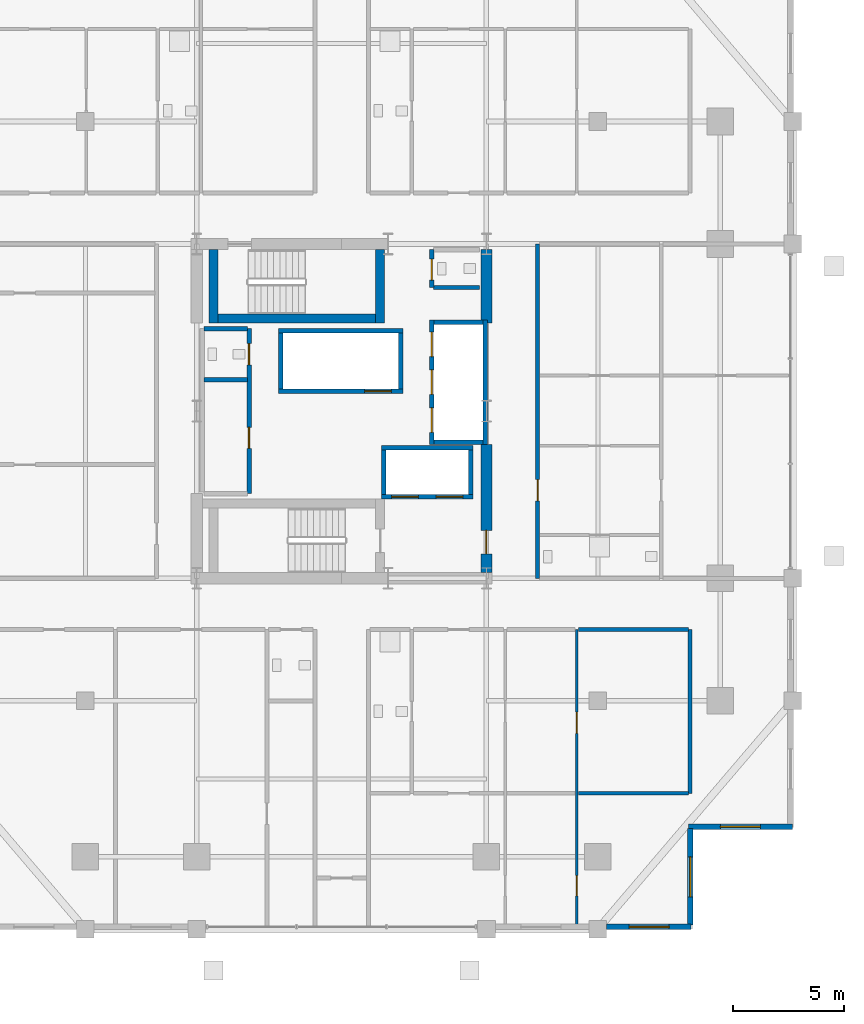
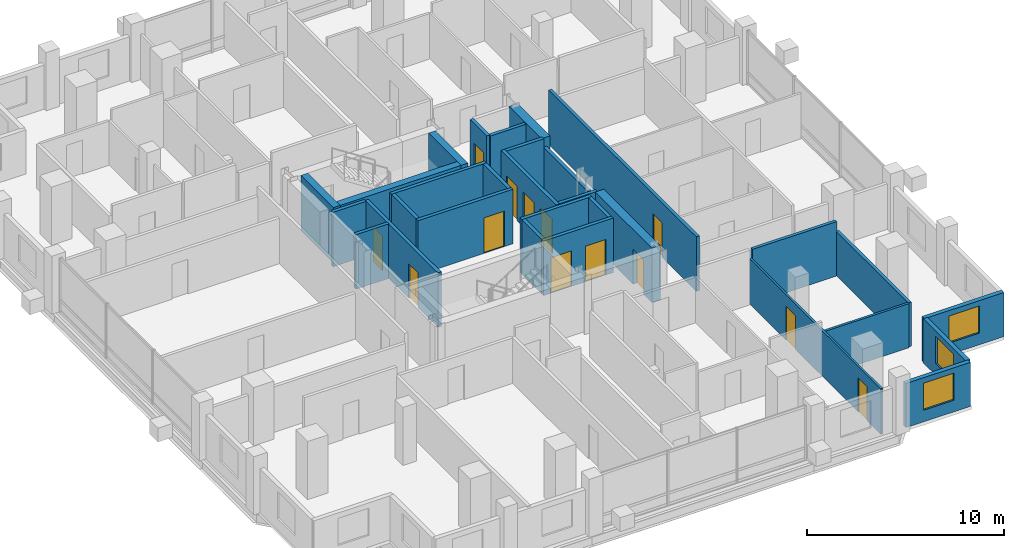
# One storey, part 15 of 20: 30 walls, 13 doors, 3 windows, 16 openings.
"""IFC4 building model written with IfcOpenShell, lengths in metres."""

import ifcopenshell
import ifcopenshell.guid

model = None  # the IFC model being written
_history = None  # IfcOwnerHistory: only IFC2X3 demands one
_inside = {}  # id of a spatial element -> (the spatial element, [elements in it])
_under = {}  # id of a project, library or spatial element -> (it, [spatial elements below it])
_declared = {}  # id of a project -> (the project, [libraries it declares])
_typed = {}  # id of a type object -> (the type object, [elements of that type])
_made_of = {}  # id of a material, layer set ... -> (it, [elements and type objects made of it])


def new_model(schema):
    """Start an empty IFC model of exactly this schema.

    Asked for "IFC4X3", IfcOpenShell would pick the latest addendum, in which some entities
    have other attributes; the version numbers below select the first issue.
    IFC2X3 requires an IfcOwnerHistory on every rooted entity: one is made here for all.
    """
    global model, _history
    if schema == "IFC4X3":
        model = ifcopenshell.file(schema_version=(4, 3, 0, 0))
    else:
        model = ifcopenshell.file(schema=schema)
    _inside.clear()
    _under.clear()
    _declared.clear()
    _typed.clear()
    _made_of.clear()
    _history = None
    if model.schema == "IFC2X3":
        org = make("IfcOrganization", Name="unknown")
        user = make(
            "IfcPersonAndOrganization",
            ThePerson=make("IfcPerson", FamilyName="unknown"),
            TheOrganization=org,
        )
        app = make(
            "IfcApplication",
            ApplicationDeveloper=org,
            Version="unknown",
            ApplicationFullName="unknown",
            ApplicationIdentifier="unknown",
        )
        _history = make(
            "IfcOwnerHistory",
            OwningUser=user,
            OwningApplication=app,
            ChangeAction="ADDED",
            CreationDate=0,
        )
    return model


def make(cls, **values):
    """One entity of the class cls with the attributes given. An attribute that is None is left unset."""
    return model.create_entity(
        cls, **{name: value for name, value in values.items() if value is not None}
    )


def rooted(cls, **values):
    """An entity with a GlobalId (a new one), such as an element, a storey or a relation."""
    return make(cls, GlobalId=ifcopenshell.guid.new(), OwnerHistory=_history, **values)


def si_unit(unit_type, name, prefix=None):
    """IfcSIUnit, for example si_unit("LENGTHUNIT", "METRE", prefix="MILLI")."""
    return make("IfcSIUnit", UnitType=unit_type, Prefix=prefix, Name=name)


def assignment(units):
    """IfcUnitAssignment: the units of a project."""
    return None if units is None else make("IfcUnitAssignment", Units=units)


def point(xyz):
    """IfcCartesianPoint."""
    return None if xyz is None else make("IfcCartesianPoint", Coordinates=xyz)


def direction(xyz):
    """IfcDirection."""
    return None if xyz is None else make("IfcDirection", DirectionRatios=xyz)


def frame(location, z_axis=None, x_axis=None):
    """IfcAxis2Placement3D, a coordinate frame: its origin and axes. An axis left out is left unset."""
    return make(
        "IfcAxis2Placement3D",
        Location=point(location),
        Axis=direction(z_axis),
        RefDirection=direction(x_axis),
    )


def frame_2d(location, x_axis=None):
    """IfcAxis2Placement2D, a coordinate frame in the plane: its origin and x axis."""
    return make(
        "IfcAxis2Placement2D", Location=point(location), RefDirection=direction(x_axis)
    )


def origin():
    """The frame at (0, 0, 0) with its axes left unset."""
    return frame((0.0, 0.0, 0.0))


def place(relative_to, where):
    """IfcLocalPlacement: puts the frame where relative to a parent placement (None: the world)."""
    return make(
        "IfcLocalPlacement", PlacementRelTo=relative_to, RelativePlacement=where
    )


def context(
    kind, dimensions, precision=None, world=None, true_north=None, identifier=None
):
    """IfcGeometricRepresentationContext, for example the 3D "Model" context."""
    return make(
        "IfcGeometricRepresentationContext",
        ContextIdentifier=identifier,
        ContextType=kind,
        CoordinateSpaceDimension=dimensions,
        Precision=precision,
        WorldCoordinateSystem=world,
        TrueNorth=true_north,
    )


def subcontext(parent, identifier, kind, view, scale=None):
    """IfcGeometricRepresentationSubContext, for example "Body" below "Model"."""
    return make(
        "IfcGeometricRepresentationSubContext",
        ContextIdentifier=identifier,
        ContextType=kind,
        ParentContext=parent,
        TargetScale=scale,
        TargetView=view,
    )


def project(units=None, contexts=None):
    """IfcProject with its units and contexts."""
    return rooted(
        "IfcProject",
        Name="project",
        RepresentationContexts=contexts,
        UnitsInContext=assignment(units),
    )


def spatial(cls, under=None, at=None, **own):
    """A site, building, storey or space (cls), placed at a placement, below another one or the project."""
    s = rooted(cls, ObjectPlacement=at, **own)
    if under is not None:
        _under.setdefault(under.id(), (under, []))[1].append(s)
    return s


def profile(cls, at=None, kind="AREA", **sizes):
    """A parametric profile (cls). Its sizes go by their IFC names, for example OverallWidth=200.0."""
    return make(cls, ProfileType=kind, Position=at, **sizes)


def rectangle(**sizes):
    """IfcRectangleProfileDef."""
    return profile("IfcRectangleProfileDef", **sizes)


def extrude(swept, where, along, depth):
    """IfcExtrudedAreaSolid: the profile swept, set in the frame where, extruded along a direction by depth."""
    return make(
        "IfcExtrudedAreaSolid",
        SweptArea=swept,
        Position=where,
        ExtrudedDirection=direction(along),
        Depth=depth,
    )


def shape(context_of_items, identifier, shape_type, items):
    """IfcShapeRepresentation: the items that make up one representation, for example the "Body"."""
    return make(
        "IfcShapeRepresentation",
        ContextOfItems=context_of_items,
        RepresentationIdentifier=identifier,
        RepresentationType=shape_type,
        Items=items,
    )


def material(Name=None, Category=None):
    """IfcMaterial."""
    return make("IfcMaterial", Name=Name, Category=Category)


def layer(
    of_material, thickness, ventilated=None, Name=None, Category=None, Priority=None
):
    """IfcMaterialLayer: one layer of a wall or slab, of a material (None: an air gap)."""
    return make(
        "IfcMaterialLayer",
        Material=of_material,
        LayerThickness=thickness,
        IsVentilated=ventilated,
        Name=Name,
        Category=Category,
        Priority=Priority,
    )


def layer_set(layers, Name=None):
    """IfcMaterialLayerSet."""
    return make("IfcMaterialLayerSet", MaterialLayers=layers, LayerSetName=Name)


def made_of(thing, what):
    """Note that an element or type object is made of a material, layer set ...; save() writes the relation."""
    if what is not None:
        _made_of.setdefault(what.id(), (what, []))[1].append(thing)
    return thing


def type_object(cls, material=None, **own):
    """A type object (cls), such as IfcWallType, which elements share."""
    return made_of(rooted(cls, **own), material)


def element(
    cls,
    number,
    at=None,
    inside=None,
    cuts=None,
    type_object=None,
    material=None,
    context=None,
    identifier="Body",
    shape_type=None,
    held_by="IfcProductDefinitionShape",
    body=None,
    shapes=None,
    **own,
):
    """One element of the class cls, such as IfcWall. Its Tag is "e" and its number.

    at: its placement. inside: the storey or other place that contains it. cuts: it is an
    opening in that element (IfcRelVoidsElement). A single representation is given by context,
    identifier, shape_type and body (its items); several are given by shapes. held_by: the class
    of the entity that holds the representations. save() writes the other relations.
    """
    e = rooted(cls, Tag="e%d" % number, ObjectPlacement=at, **own)
    if body is not None:
        shapes = [shape(context, identifier, shape_type, body)]
    if shapes is not None:
        e.Representation = make(held_by, Representations=shapes)
    if inside is not None:
        _inside.setdefault(inside.id(), (inside, []))[1].append(e)
    if cuts is not None:
        rooted(
            "IfcRelVoidsElement", RelatingBuildingElement=cuts, RelatedOpeningElement=e
        )
    if type_object is not None:
        _typed.setdefault(type_object.id(), (type_object, []))[1].append(e)
    return made_of(e, material)


def fill(opening, filler):
    """IfcRelFillsElement: the door or window that sits in an opening."""
    return rooted(
        "IfcRelFillsElement",
        RelatingOpeningElement=opening,
        RelatedBuildingElement=filler,
    )


def aggregate(whole, parts):
    """IfcRelAggregates: a whole, such as a stair, and the parts it consists of."""
    return rooted("IfcRelAggregates", RelatingObject=whole, RelatedObjects=parts)


def save(model, path):
    """Write the relations noted so far, then the file.

    IfcRelAggregates (storeys below a building ...), IfcRelContainedInSpatialStructure (elements
    in a storey), IfcRelDefinesByType, IfcRelAssociatesMaterial and IfcRelDeclares: one each for
    every whole, place, type object, material and project.
    """
    for whole, parts in _under.values():
        aggregate(whole, parts)
    for where, things in _inside.values():
        rooted(
            "IfcRelContainedInSpatialStructure",
            RelatedElements=things,
            RelatingStructure=where,
        )
    for kind, things in _typed.values():
        rooted("IfcRelDefinesByType", RelatedObjects=things, RelatingType=kind)
    for what, things in _made_of.values():
        rooted("IfcRelAssociatesMaterial", RelatedObjects=things, RelatingMaterial=what)
    for by, libraries in _declared.values():
        rooted("IfcRelDeclares", RelatingContext=by, RelatedDefinitions=libraries)
    model.write(path)


model = new_model("IFC4")

# Units and contexts
model_context = context("Model", 3, precision=1e-05, world=origin(), true_north=direction((0.0, 1.0)))
body_context = subcontext(model_context, "Body", "Model", "MODEL_VIEW")
ifc_project = project(units=[si_unit("LENGTHUNIT", "METRE"), si_unit("AREAUNIT", "SQUARE_METRE"), si_unit("VOLUMEUNIT", "CUBIC_METRE"), si_unit("PLANEANGLEUNIT", "RADIAN"), si_unit("MASSUNIT", "GRAM", prefix="KILO")], contexts=[model_context])

# Site, building, storey
site_placement = place(None, origin())
site = spatial("IfcSite", under=ifc_project, at=site_placement, CompositionType="ELEMENT")
building_placement = place(site_placement, origin())
building = spatial("IfcBuilding", under=site, at=building_placement, Name="Barlavira Tower and Art Museum", CompositionType="ELEMENT")
storey_placement = place(building_placement, frame((0.0, 0.0, 147.60009765625)))
storey = spatial("IfcBuildingStorey", under=building, at=storey_placement, Name="L37", CompositionType="ELEMENT", Elevation=147.60009765625)

# Wall, openings, doors
ifc_material_1 = material(Name="Gypsum acoustic stud partition", Category="gypsum")
ifc_layer_1 = layer(ifc_material_1, 0.1201171875, Name="Gypsum acoustic stud partition")
ifc_layer_set_1 = layer_set([ifc_layer_1], Name="Gypsum acoustic stud partition")
wall_type_1 = type_object("IfcWallType", Name="Apartment Internal Acoustic Partition 120", PredefinedType="PARTITIONING", material=ifc_layer_set_1)
wall_1_placement = place(storey_placement, frame((10.550048828125, -23.14990234375, 0.0), z_axis=(0.0, 0.0, 1.0), x_axis=(0.0, 1.0, 0.0)))
wall_1 = element("IfcWall", 1, at=wall_1_placement, inside=storey, type_object=wall_type_1, Name="L37 Partition Wall 20", PredefinedType="PARTITIONING", context=body_context, shape_type="SweptSolid", body=[
    extrude(rectangle(XDim=13.349853515625, YDim=0.1201171875, at=frame_2d((6.6748046875, 0.0))), origin(), (0.0, 0.0, 1.0), 2.81591796875),
])
opening_1_placement = place(wall_1_placement, frame((8.686767578125, 0.0, 0.0)))
opening_1 = element("IfcOpeningElement", 2, at=opening_1_placement, cuts=wall_1, Name="Opening D-02", PredefinedType="OPENING", context=body_context, shape_type="SweptSolid", body=[
    extrude(rectangle(XDim=0.949951171875, YDim=2.10009765625, at=frame_2d((0.47509765625, 1.050048828125))), frame((0.0, 0.070068359375, 0.0), z_axis=(0.0, -1.0, 0.0), x_axis=(1.0, 0.0, 0.0)), (0.0, 0.0, 1.0), 0.14013671875),
])
opening_2_placement = place(wall_1_placement, frame((1.39892578125, 0.0, 0.0)))
opening_2 = element("IfcOpeningElement", 3, at=opening_2_placement, cuts=wall_1, Name="Opening D-01", PredefinedType="OPENING", context=body_context, shape_type="SweptSolid", body=[
    extrude(rectangle(XDim=0.89990234375, YDim=2.10009765625, at=frame_2d((0.449951171875, 1.050048828125))), frame((0.0, 0.070068359375, 0.0), z_axis=(0.0, -1.0, 0.0), x_axis=(1.0, 0.0, 0.0)), (0.0, 0.0, 1.0), 0.14013671875),
])
ifc_material_2 = material(Name="Engineered coastal hardwood", Category="wood")
door_type_1 = type_object("IfcDoorType", Name="Internal Bedroom Timber Flush Door 900x2100", OperationType="NOTDEFINED", PredefinedType="DOOR", material=ifc_material_2)
door_1_placement = place(opening_2_placement, origin())
door_1 = element("IfcDoor", 4, at=door_1_placement, inside=storey, type_object=door_type_1, Name="Apartment SE1 Bedroom 2 Door", OperationType="SINGLE_SWING_RIGHT", OverallHeight=2.10009765625, OverallWidth=0.89990234375, PredefinedType="DOOR", context=body_context, shape_type="SweptSolid", body=[
    extrude(rectangle(XDim=0.89990234375, YDim=2.10009765625, at=frame_2d((0.449951171875, 1.050048828125))), frame((0.0, 0.02490234375, 0.0), z_axis=(0.0, -1.0, 0.0), x_axis=(1.0, 0.0, 0.0)), (0.0, 0.0, 1.0), 0.050048828125),
])
fill(opening_2, door_1)
door_type_2 = type_object("IfcDoorType", Name="Living and Salon Glazed-Leaf Door 950x2100", OperationType="NOTDEFINED", PredefinedType="DOOR", material=ifc_material_2)
door_2_placement = place(opening_1_placement, origin())
door_2 = element("IfcDoor", 5, at=door_2_placement, inside=storey, type_object=door_type_2, Name="Apartment SE1 Dining Salon Door", OperationType="SINGLE_SWING_LEFT", OverallHeight=2.10009765625, OverallWidth=0.949951171875, PredefinedType="DOOR", context=body_context, shape_type="SweptSolid", body=[
    extrude(rectangle(XDim=0.949951171875, YDim=2.10009765625, at=frame_2d((0.47509765625, 1.050048828125))), frame((0.0, 0.02490234375, 0.0), z_axis=(0.0, -1.0, 0.0), x_axis=(1.0, 0.0, 0.0)), (0.0, 0.0, 1.0), 0.050048828125),
])
fill(opening_1, door_2)

# Wall, opening, door
ifc_material_3 = material(Name="Concrete C60", Category="concrete")
ifc_layer_2 = layer(ifc_material_3, 0.5, Name="Concrete C60")
ifc_layer_set_2 = layer_set([ifc_layer_2], Name="Concrete C60")
wall_type_2 = type_object("IfcWallType", Name="Core Structural Shear Wall 500 Concrete C60", PredefinedType="SHEAR", material=ifc_layer_set_2)
wall_2_placement = place(storey_placement, frame((6.5, -7.25, 0.0), z_axis=(0.0, 0.0, 1.0), x_axis=(0.0, 1.0, 0.0)))
wall_2 = element("IfcWall", 6, at=wall_2_placement, inside=storey, type_object=wall_type_2, Name="L37 Core Shear Wall CS-E1", PredefinedType="SHEAR", context=body_context, shape_type="SweptSolid", body=[
    extrude(rectangle(XDim=5.75, YDim=0.5, at=frame_2d((2.875, 0.0))), origin(), (0.0, 0.0, 1.0), 3.3798828125),
])
opening_3_placement = place(wall_2_placement, frame((0.85009765625, 0.0, 0.0)))
opening_3 = element("IfcOpeningElement", 7, at=opening_3_placement, cuts=wall_2, Name="Opening FD-90", PredefinedType="OPENING", context=body_context, shape_type="SweptSolid", body=[
    extrude(rectangle(XDim=1.050048828125, YDim=2.14990234375, at=frame_2d((0.52490234375, 1.074951171875))), frame((0.0, 0.260009765625, 0.0), z_axis=(0.0, -1.0, 0.0), x_axis=(1.0, 0.0, 0.0)), (0.0, 0.0, 1.0), 0.52001953125),
])
ifc_material_4 = material(Name="Brushed stainless steel", Category="steel")
door_type_3 = type_object("IfcDoorType", Name="Stair and Refuge Fire Door 1050x2150 FD90S", OperationType="NOTDEFINED", PredefinedType="DOOR", material=ifc_material_4)
door_3_placement = place(opening_3_placement, origin())
door_3 = element("IfcDoor", 8, at=door_3_placement, inside=storey, type_object=door_type_3, Name="L37 Firefighting Lobby Entry Fire Door", OperationType="SINGLE_SWING_LEFT", OverallHeight=2.14990234375, OverallWidth=1.050048828125, PredefinedType="DOOR", context=body_context, shape_type="SweptSolid", body=[
    extrude(rectangle(XDim=1.050048828125, YDim=2.14990234375, at=frame_2d((0.52490234375, 1.074951171875))), frame((0.0, 0.02490234375, 0.0), z_axis=(0.0, -1.0, 0.0), x_axis=(1.0, 0.0, 0.0)), (0.0, 0.0, 1.0), 0.050048828125),
])
fill(opening_3, door_3)

# Wall
wall_3_placement = place(storey_placement, frame((6.5, 3.949951171875, 0.0), z_axis=(0.0, 0.0, 1.0), x_axis=(0.0, 1.0, 0.0)))
element("IfcWall", 9, at=wall_3_placement, inside=storey, type_object=wall_type_2, Name="L37 Core Shear Wall CS-E2", PredefinedType="SHEAR", context=body_context, shape_type="SweptSolid", body=[
    extrude(rectangle(XDim=3.300048828125, YDim=0.5, at=frame_2d((1.64990234375, 0.0))), origin(), (0.0, 0.0, 1.0), 3.3798828125),
])

# Wall, openings, doors
ifc_material_5 = material(Name="Autoclaved aerated concrete masonry", Category="masonry")
ifc_layer_3 = layer(ifc_material_5, 0.199951171875, Name="Autoclaved aerated concrete masonry")
ifc_layer_set_3 = layer_set([ifc_layer_3], Name="Autoclaved aerated concrete masonry")
wall_type_3 = type_object("IfcWallType", Name="Fire Compartment and Shaft Wall 200", PredefinedType="SOLIDWALL", material=ifc_layer_set_3)
wall_4_placement = place(storey_placement, frame((4.050048828125, -1.489990234375, 0.0), z_axis=(0.0, 0.0, 1.0), x_axis=(0.0, 1.0, 0.0)))
wall_4 = element("IfcWall", 10, at=wall_4_placement, inside=storey, type_object=wall_type_3, Name="L37 Mid-Rise Lift Front Shaft Wall", PredefinedType="SOLIDWALL", context=body_context, shape_type="SweptSolid", body=[
    extrude(rectangle(XDim=5.580078125, YDim=0.199951171875, at=frame_2d((2.7900390625, 0.0))), origin(), (0.0, 0.0, 1.0), 3.3798828125),
])
opening_4_placement = place(wall_4_placement, frame((0.5400390625, 0.0, 0.0)))
opening_4 = element("IfcOpeningElement", 11, at=opening_4_placement, cuts=wall_4, Name="Opening LD-P", PredefinedType="OPENING", context=body_context, shape_type="SweptSolid", body=[
    extrude(rectangle(XDim=1.10009765625, YDim=2.14990234375, at=frame_2d((0.550048828125, 1.074951171875))), frame((0.0, 0.10986328125, 0.0), z_axis=(0.0, -1.0, 0.0), x_axis=(1.0, 0.0, 0.0)), (0.0, 0.0, 1.0), 0.219970703125),
])
opening_5_placement = place(wall_4_placement, frame((2.239990234375, 0.0, 0.0)))
opening_5 = element("IfcOpeningElement", 12, at=opening_5_placement, cuts=wall_4, Name="Opening LD-P", PredefinedType="OPENING", context=body_context, shape_type="SweptSolid", body=[
    extrude(rectangle(XDim=1.10009765625, YDim=2.14990234375, at=frame_2d((0.550048828125, 1.074951171875))), frame((0.0, 0.10986328125, 0.0), z_axis=(0.0, -1.0, 0.0), x_axis=(1.0, 0.0, 0.0)), (0.0, 0.0, 1.0), 0.219970703125),
])
opening_6_placement = place(wall_4_placement, frame((3.93994140625, 0.0, 0.0)))
opening_6 = element("IfcOpeningElement", 13, at=opening_6_placement, cuts=wall_4, Name="Opening LD-P", PredefinedType="OPENING", context=body_context, shape_type="SweptSolid", body=[
    extrude(rectangle(XDim=1.10009765625, YDim=2.14990234375, at=frame_2d((0.550048828125, 1.074951171875))), frame((0.0, 0.10986328125, 0.0), z_axis=(0.0, -1.0, 0.0), x_axis=(1.0, 0.0, 0.0)), (0.0, 0.0, 1.0), 0.219970703125),
])
door_type_4 = type_object("IfcDoorType", Name="Passenger Lift Sliding Landing Door 1100x2150 FD60", OperationType="NOTDEFINED", PredefinedType="DOOR", material=ifc_material_4)
door_4_placement = place(opening_4_placement, origin())
door_4 = element("IfcDoor", 14, at=door_4_placement, inside=storey, type_object=door_type_4, Name="L37 Lift PM1 Sliding Landing Door", OperationType="DOUBLE_DOOR_SLIDING", OverallHeight=2.14990234375, OverallWidth=1.10009765625, PredefinedType="DOOR", context=body_context, shape_type="SweptSolid", body=[
    extrude(rectangle(XDim=1.10009765625, YDim=2.14990234375, at=frame_2d((0.550048828125, 1.074951171875))), frame((0.0, 0.02490234375, 0.0), z_axis=(0.0, -1.0, 0.0), x_axis=(1.0, 0.0, 0.0)), (0.0, 0.0, 1.0), 0.050048828125),
])
fill(opening_4, door_4)
door_5_placement = place(opening_5_placement, origin())
door_5 = element("IfcDoor", 15, at=door_5_placement, inside=storey, type_object=door_type_4, Name="L37 Lift PM2 Sliding Landing Door", OperationType="DOUBLE_DOOR_SLIDING", OverallHeight=2.14990234375, OverallWidth=1.10009765625, PredefinedType="DOOR", context=body_context, shape_type="SweptSolid", body=[
    extrude(rectangle(XDim=1.10009765625, YDim=2.14990234375, at=frame_2d((0.550048828125, 1.074951171875))), frame((0.0, 0.02490234375, 0.0), z_axis=(0.0, -1.0, 0.0), x_axis=(1.0, 0.0, 0.0)), (0.0, 0.0, 1.0), 0.050048828125),
])
fill(opening_5, door_5)
door_6_placement = place(opening_6_placement, origin())
door_6 = element("IfcDoor", 16, at=door_6_placement, inside=storey, type_object=door_type_4, Name="L37 Lift PM3 Sliding Landing Door", OperationType="DOUBLE_DOOR_SLIDING", OverallHeight=2.14990234375, OverallWidth=1.10009765625, PredefinedType="DOOR", context=body_context, shape_type="SweptSolid", body=[
    extrude(rectangle(XDim=1.10009765625, YDim=2.14990234375, at=frame_2d((0.550048828125, 1.074951171875))), frame((0.0, 0.02490234375, 0.0), z_axis=(0.0, -1.0, 0.0), x_axis=(1.0, 0.0, 0.0)), (0.0, 0.0, 1.0), 0.050048828125),
])
fill(opening_6, door_6)

# Walls
wall_5_placement = place(storey_placement, frame((6.449951171875, -1.489990234375, 0.0), z_axis=(0.0, 0.0, 1.0), x_axis=(0.0, 1.0, 0.0)))
element("IfcWall", 17, at=wall_5_placement, inside=storey, type_object=wall_type_3, Name="L37 Mid-Rise Lift Back Shaft Wall", PredefinedType="SOLIDWALL", context=body_context, shape_type="SweptSolid", body=[
    extrude(rectangle(XDim=5.580078125, YDim=0.199951171875, at=frame_2d((2.7900390625, 0.0))), origin(), (0.0, 0.0, 1.0), 2.81591796875),
])
for number, where, z_axis, x_axis, name in (
    (18, (4.14990234375, -1.389892578125, 0.0), (0.0, 0.0, 1.0), (1.0, 0.0, 0.0), "L37 Mid-Rise Lift South Shaft Wall"),
    (19, (4.14990234375, 3.989990234375, 0.0), (0.0, 0.0, 1.0), (1.0, 0.0, 0.0), "L37 Mid-Rise Lift North Shaft Wall"),
):
    element("IfcWall", number, at=place(storey_placement, frame(where, z_axis=z_axis, x_axis=x_axis)), inside=storey, type_object=wall_type_3, Name=name, PredefinedType="SOLIDWALL", context=body_context, shape_type="SweptSolid", body=[
        extrude(rectangle(XDim=2.2001953125, YDim=0.199951171875, at=frame_2d((1.10009765625, 0.0))), origin(), (0.0, 0.0, 1.0), 3.3798828125),
    ])

# Wall, opening, door
wall_6_placement = place(storey_placement, frame((-2.820068359375, 0.89990234375, 0.0), z_axis=(0.0, 0.0, 1.0), x_axis=(1.0, 0.0, 0.0)))
wall_6 = element("IfcWall", 20, at=wall_6_placement, inside=storey, type_object=wall_type_3, Name="L37 High-Rise & Service Lift Front Wall", PredefinedType="SOLIDWALL", context=body_context, shape_type="SweptSolid", body=[
    extrude(rectangle(XDim=5.580078125, YDim=0.199951171875, at=frame_2d((2.7900390625, 0.0))), origin(), (0.0, 0.0, 1.0), 3.3798828125),
])
opening_7_placement = place(wall_6_placement, frame((3.860107421875, 0.0, 0.0)))
opening_7 = element("IfcOpeningElement", 21, at=opening_7_placement, cuts=wall_6, Name="Opening LD-F", PredefinedType="OPENING", context=body_context, shape_type="SweptSolid", body=[
    extrude(rectangle(XDim=1.199951171875, YDim=2.199951171875, at=frame_2d((0.60009765625, 1.10009765625))), frame((0.0, 0.10986328125, 0.0), z_axis=(0.0, -1.0, 0.0), x_axis=(1.0, 0.0, 0.0)), (0.0, 0.0, 1.0), 0.219970703125),
])
door_type_5 = type_object("IfcDoorType", Name="Firefighting and Service Lift Sliding Door 1200x2200 FD120", OperationType="NOTDEFINED", PredefinedType="DOOR", material=ifc_material_4)
door_7_placement = place(opening_7_placement, origin())
door_7 = element("IfcDoor", 22, at=door_7_placement, inside=storey, type_object=door_type_5, Name="L37 Stretcher Service Lift SL1 Sliding Door", OperationType="DOUBLE_DOOR_SLIDING", OverallHeight=2.199951171875, OverallWidth=1.199951171875, PredefinedType="DOOR", context=body_context, shape_type="SweptSolid", body=[
    extrude(rectangle(XDim=1.199951171875, YDim=2.199951171875, at=frame_2d((0.60009765625, 1.10009765625))), frame((0.0, 0.02490234375, 0.0), z_axis=(0.0, -1.0, 0.0), x_axis=(1.0, 0.0, 0.0)), (0.0, 0.0, 1.0), 0.050048828125),
])
fill(opening_7, door_7)

# Walls
wall_7_placement = place(storey_placement, frame((-2.820068359375, 3.60009765625, 0.0), z_axis=(0.0, 0.0, 1.0), x_axis=(1.0, 0.0, 0.0)))
element("IfcWall", 23, at=wall_7_placement, inside=storey, type_object=wall_type_3, Name="L37 High-Rise & Service Lift Back Wall", PredefinedType="SOLIDWALL", context=body_context, shape_type="SweptSolid", body=[
    extrude(rectangle(XDim=5.580078125, YDim=0.199951171875, at=frame_2d((2.7900390625, 0.0))), origin(), (0.0, 0.0, 1.0), 3.3798828125),
])
for number, where, z_axis, x_axis, name in (
    (24, (-2.719970703125, 1.0, 0.0), (0.0, 0.0, 1.0), (0.0, 1.0, 0.0), "L37 High-Rise & Service Lift West Wall"),
    (25, (2.659912109375, 1.0, 0.0), (0.0, 0.0, 1.0), (0.0, 1.0, 0.0), "L37 High-Rise & Service Lift East Wall"),
):
    element("IfcWall", number, at=place(storey_placement, frame(where, z_axis=z_axis, x_axis=x_axis)), inside=storey, type_object=wall_type_3, Name=name, PredefinedType="SOLIDWALL", context=body_context, shape_type="SweptSolid", body=[
        extrude(rectangle(XDim=2.5, YDim=0.199951171875, at=frame_2d((1.25, 0.0))), origin(), (0.0, 0.0, 1.0), 3.3798828125),
    ])

# Wall, openings, doors
wall_8_placement = place(storey_placement, frame((1.800048828125, -3.85009765625, 0.0), z_axis=(0.0, 0.0, 1.0), x_axis=(1.0, 0.0, 0.0)))
wall_8 = element("IfcWall", 26, at=wall_8_placement, inside=storey, type_object=wall_type_3, Name="L37 Firefighting Lift Front Shaft Wall", PredefinedType="SOLIDWALL", context=body_context, shape_type="SweptSolid", body=[
    extrude(rectangle(XDim=4.099853515625, YDim=0.199951171875, at=frame_2d((2.0498046875, 0.0))), origin(), (0.0, 0.0, 1.0), 3.3798828125),
])
opening_8_placement = place(wall_8_placement, frame((0.449951171875, 0.0, 0.0)))
opening_8 = element("IfcOpeningElement", 27, at=opening_8_placement, cuts=wall_8, Name="Opening LD-F", PredefinedType="OPENING", context=body_context, shape_type="SweptSolid", body=[
    extrude(rectangle(XDim=1.199951171875, YDim=2.199951171875, at=frame_2d((0.60009765625, 1.10009765625))), frame((0.0, 0.10986328125, 0.0), z_axis=(0.0, -1.0, 0.0), x_axis=(1.0, 0.0, 0.0)), (0.0, 0.0, 1.0), 0.219970703125),
])
opening_9_placement = place(wall_8_placement, frame((2.449951171875, 0.0, 0.0)))
opening_9 = element("IfcOpeningElement", 28, at=opening_9_placement, cuts=wall_8, Name="Opening LD-F", PredefinedType="OPENING", context=body_context, shape_type="SweptSolid", body=[
    extrude(rectangle(XDim=1.199951171875, YDim=2.199951171875, at=frame_2d((0.60009765625, 1.10009765625))), frame((0.0, 0.10986328125, 0.0), z_axis=(0.0, -1.0, 0.0), x_axis=(1.0, 0.0, 0.0)), (0.0, 0.0, 1.0), 0.219970703125),
])
door_8_placement = place(opening_8_placement, origin())
door_8 = element("IfcDoor", 29, at=door_8_placement, inside=storey, type_object=door_type_5, Name="L37 Firefighting Lift FF1 Sliding Door", OperationType="DOUBLE_DOOR_SLIDING", OverallHeight=2.199951171875, OverallWidth=1.199951171875, PredefinedType="DOOR", context=body_context, shape_type="SweptSolid", body=[
    extrude(rectangle(XDim=1.199951171875, YDim=2.199951171875, at=frame_2d((0.60009765625, 1.10009765625))), frame((0.0, 0.02490234375, 0.0), z_axis=(0.0, -1.0, 0.0), x_axis=(1.0, 0.0, 0.0)), (0.0, 0.0, 1.0), 0.050048828125),
])
fill(opening_8, door_8)
door_9_placement = place(opening_9_placement, origin())
door_9 = element("IfcDoor", 30, at=door_9_placement, inside=storey, type_object=door_type_5, Name="L37 Firefighting Lift FF2 Sliding Door", OperationType="DOUBLE_DOOR_SLIDING", OverallHeight=2.199951171875, OverallWidth=1.199951171875, PredefinedType="DOOR", context=body_context, shape_type="SweptSolid", body=[
    extrude(rectangle(XDim=1.199951171875, YDim=2.199951171875, at=frame_2d((0.60009765625, 1.10009765625))), frame((0.0, 0.02490234375, 0.0), z_axis=(0.0, -1.0, 0.0), x_axis=(1.0, 0.0, 0.0)), (0.0, 0.0, 1.0), 0.050048828125),
])
fill(opening_9, door_9)

# Walls
wall_9_placement = place(storey_placement, frame((1.800048828125, -1.64990234375, 0.0), z_axis=(0.0, 0.0, 1.0), x_axis=(1.0, 0.0, 0.0)))
element("IfcWall", 31, at=wall_9_placement, inside=storey, type_object=wall_type_3, Name="L37 Firefighting Lift Back Shaft Wall", PredefinedType="SOLIDWALL", context=body_context, shape_type="SweptSolid", body=[
    extrude(rectangle(XDim=4.099853515625, YDim=0.199951171875, at=frame_2d((2.0498046875, 0.0))), origin(), (0.0, 0.0, 1.0), 3.3798828125),
])
for number, where, z_axis, x_axis, name in (
    (32, (1.89990234375, -3.75, 0.0), (0.0, 0.0, 1.0), (0.0, 1.0, 0.0), "L37 Firefighting Lift West Shaft Wall"),
    (33, (5.800048828125, -3.75, 0.0), (0.0, 0.0, 1.0), (0.0, 1.0, 0.0), "L37 Firefighting Lift East Shaft Wall"),
):
    element("IfcWall", number, at=place(storey_placement, frame(where, z_axis=z_axis, x_axis=x_axis)), inside=storey, type_object=wall_type_3, Name=name, PredefinedType="SOLIDWALL", context=body_context, shape_type="SweptSolid", body=[
        extrude(rectangle(XDim=2.0, YDim=0.199951171875, at=frame_2d((1.0, 0.0))), origin(), (0.0, 0.0, 1.0), 3.3798828125),
    ])

# Wall, openings, doors
wall_10_placement = place(storey_placement, frame((-4.14990234375, -3.699951171875, 0.0), z_axis=(0.0, 0.0, 1.0), x_axis=(0.0, 1.0, 0.0)))
wall_10 = element("IfcWall", 34, at=wall_10_placement, inside=storey, type_object=wall_type_3, Name="L37 Partition Wall 8", PredefinedType="SOLIDWALL", context=body_context, shape_type="SweptSolid", body=[
    extrude(rectangle(XDim=7.39990234375, YDim=0.199951171875, at=frame_2d((3.699951171875, 0.0))), origin(), (0.0, 0.0, 1.0), 3.3798828125),
])
opening_10_placement = place(wall_10_placement, frame((2.02490234375, 0.0, 0.0)))
opening_10 = element("IfcOpeningElement", 35, at=opening_10_placement, cuts=wall_10, Name="Opening FD-60", PredefinedType="OPENING", context=body_context, shape_type="SweptSolid", body=[
    extrude(rectangle(XDim=0.949951171875, YDim=2.14990234375, at=frame_2d((0.47509765625, 1.074951171875))), frame((0.0, 0.10986328125, 0.0), z_axis=(0.0, -1.0, 0.0), x_axis=(1.0, 0.0, 0.0)), (0.0, 0.0, 1.0), 0.219970703125),
])
opening_11_placement = place(wall_10_placement, frame((5.77490234375, 0.0, 0.0)))
opening_11 = element("IfcOpeningElement", 36, at=opening_11_placement, cuts=wall_10, Name="Opening FD-60", PredefinedType="OPENING", context=body_context, shape_type="SweptSolid", body=[
    extrude(rectangle(XDim=0.949951171875, YDim=2.14990234375, at=frame_2d((0.47509765625, 1.074951171875))), frame((0.0, 0.10986328125, 0.0), z_axis=(0.0, -1.0, 0.0), x_axis=(1.0, 0.0, 0.0)), (0.0, 0.0, 1.0), 0.219970703125),
])
door_type_6 = type_object("IfcDoorType", Name="Apartment Entrance and Riser Fire Door 950x2150 FD60S", OperationType="NOTDEFINED", PredefinedType="DOOR", material=ifc_material_4)
door_10_placement = place(opening_10_placement, origin())
door_10 = element("IfcDoor", 37, at=door_10_placement, inside=storey, type_object=door_type_6, Name="Reclaimed Core Resident Parcel Room Door", OperationType="SINGLE_SWING_RIGHT", OverallHeight=2.14990234375, OverallWidth=0.949951171875, PredefinedType="DOOR", context=body_context, shape_type="SweptSolid", body=[
    extrude(rectangle(XDim=0.949951171875, YDim=2.14990234375, at=frame_2d((0.47509765625, 1.074951171875))), frame((0.0, 0.02490234375, 0.0), z_axis=(0.0, -1.0, 0.0), x_axis=(1.0, 0.0, 0.0)), (0.0, 0.0, 1.0), 0.050048828125),
])
fill(opening_10, door_10)
door_11_placement = place(opening_11_placement, origin())
door_11 = element("IfcDoor", 38, at=door_11_placement, inside=storey, type_object=door_type_6, Name="Reclaimed Core Accessible WC Door", OperationType="SINGLE_SWING_LEFT", OverallHeight=2.14990234375, OverallWidth=0.949951171875, PredefinedType="DOOR", context=body_context, shape_type="SweptSolid", body=[
    extrude(rectangle(XDim=0.949951171875, YDim=2.14990234375, at=frame_2d((0.47509765625, 1.074951171875))), frame((0.0, 0.02490234375, 0.0), z_axis=(0.0, -1.0, 0.0), x_axis=(1.0, 0.0, 0.0)), (0.0, 0.0, 1.0), 0.050048828125),
])
fill(opening_11, door_11)

# Wall, opening, door
wall_11_placement = place(storey_placement, frame((4.050048828125, 5.550048828125, 0.0), z_axis=(0.0, 0.0, 1.0), x_axis=(0.0, 1.0, 0.0)))
wall_11 = element("IfcWall", 39, at=wall_11_placement, inside=storey, type_object=wall_type_3, Name="L37 Partition Wall 16", PredefinedType="SOLIDWALL", context=body_context, shape_type="SweptSolid", body=[
    extrude(rectangle(XDim=1.699951171875, YDim=0.199951171875, at=frame_2d((0.85009765625, 0.0))), origin(), (0.0, 0.0, 1.0), 3.3798828125),
])
opening_12_placement = place(wall_11_placement, frame((0.324951171875, 0.0, 0.0)))
opening_12 = element("IfcOpeningElement", 40, at=opening_12_placement, cuts=wall_11, Name="Opening FD-60", PredefinedType="OPENING", context=body_context, shape_type="SweptSolid", body=[
    extrude(rectangle(XDim=0.949951171875, YDim=2.14990234375, at=frame_2d((0.47509765625, 1.074951171875))), frame((0.0, 0.10986328125, 0.0), z_axis=(0.0, -1.0, 0.0), x_axis=(1.0, 0.0, 0.0)), (0.0, 0.0, 1.0), 0.219970703125),
])
door_12_placement = place(opening_12_placement, origin())
door_12 = element("IfcDoor", 41, at=door_12_placement, inside=storey, type_object=door_type_6, Name="Core Accessible Washroom Door", OperationType="SINGLE_SWING_RIGHT", OverallHeight=2.14990234375, OverallWidth=0.949951171875, PredefinedType="DOOR", context=body_context, shape_type="SweptSolid", body=[
    extrude(rectangle(XDim=0.949951171875, YDim=2.14990234375, at=frame_2d((0.47509765625, 1.074951171875))), frame((0.0, 0.02490234375, 0.0), z_axis=(0.0, -1.0, 0.0), x_axis=(1.0, 0.0, 0.0)), (0.0, 0.0, 1.0), 0.050048828125),
])
fill(opening_12, door_12)

# Walls
for number, where, z_axis, x_axis, name in (
    (42, (-6.169921875, 1.39990234375, 0.0), (0.0, 0.0, 1.0), (1.0, 0.0, 0.0), "L37 Partition Wall 45"),
    (43, (-6.169921875, 3.699951171875, 0.0), (0.0, 0.0, 1.0), (1.0, 0.0, 0.0), "L37 Partition Wall 48"),
):
    element("IfcWall", number, at=place(storey_placement, frame(where, z_axis=z_axis, x_axis=x_axis)), inside=storey, type_object=wall_type_3, Name=name, PredefinedType="SOLIDWALL", context=body_context, shape_type="SweptSolid", body=[
        extrude(rectangle(XDim=1.93994140625, YDim=0.199951171875, at=frame_2d((0.969970703125, 0.0))), origin(), (0.0, 0.0, 1.0), 3.3798828125),
    ])
wall_12_placement = place(storey_placement, frame((4.1298828125, 5.550048828125, 0.0), z_axis=(0.0, 0.0, 1.0), x_axis=(1.0, 0.0, 0.0)))
element("IfcWall", 44, at=wall_12_placement, inside=storey, type_object=wall_type_3, Name="L37 Partition Wall 50", PredefinedType="SOLIDWALL", context=body_context, shape_type="SweptSolid", body=[
    extrude(rectangle(XDim=2.070068359375, YDim=0.199951171875, at=frame_2d((1.03515625, 0.0))), origin(), (0.0, 0.0, 1.0), 3.3798828125),
])

# Wall, opening, door
ifc_layer_4 = layer(ifc_material_1, 0.179931640625, Name="Gypsum acoustic stud partition")
ifc_layer_set_4 = layer_set([ifc_layer_4], Name="Gypsum acoustic stud partition")
wall_type_4 = type_object("IfcWallType", Name="Inter-Tenancy Party Partition Wall 180", PredefinedType="PARTITIONING", material=ifc_layer_set_4)
wall_13_placement = place(storey_placement, frame((8.800048828125, -7.5, 0.0), z_axis=(0.0, 0.0, 1.0), x_axis=(0.0, 1.0, 0.0)))
wall_13 = element("IfcWall", 45, at=wall_13_placement, inside=storey, type_object=wall_type_4, Name="L37 Partition Wall 19", PredefinedType="PARTITIONING", context=body_context, shape_type="SweptSolid", body=[
    extrude(rectangle(XDim=15.0, YDim=0.179931640625, at=frame_2d((7.5, 0.0))), origin(), (0.0, 0.0, 1.0), 3.3798828125),
])
opening_13_placement = place(wall_13_placement, frame((3.47509765625, 0.0, 0.0)))
opening_13 = element("IfcOpeningElement", 46, at=opening_13_placement, cuts=wall_13, Name="Opening FD-60", PredefinedType="OPENING", context=body_context, shape_type="SweptSolid", body=[
    extrude(rectangle(XDim=0.949951171875, YDim=2.14990234375, at=frame_2d((0.47509765625, 1.074951171875))), frame((0.0, 0.10009765625, 0.0), z_axis=(0.0, -1.0, 0.0), x_axis=(1.0, 0.0, 0.0)), (0.0, 0.0, 1.0), 0.199951171875),
])
door_13_placement = place(opening_13_placement, origin())
door_13 = element("IfcDoor", 47, at=door_13_placement, inside=storey, type_object=door_type_6, Name="Apartment Entrance Hall E1 Door", OperationType="SINGLE_SWING_RIGHT", OverallHeight=2.14990234375, OverallWidth=0.949951171875, PredefinedType="DOOR", context=body_context, shape_type="SweptSolid", body=[
    extrude(rectangle(XDim=0.949951171875, YDim=2.14990234375, at=frame_2d((0.47509765625, 1.074951171875))), frame((0.0, 0.02490234375, 0.0), z_axis=(0.0, -1.0, 0.0), x_axis=(1.0, 0.0, 0.0)), (0.0, 0.0, 1.0), 0.050048828125),
])
fill(opening_13, door_13)

# Walls
wall_14_placement = place(storey_placement, frame((15.64990234375, -17.14990234375, 0.0), z_axis=(0.0, 0.0, 1.0), x_axis=(0.0, 1.0, 0.0)))
element("IfcWall", 48, at=wall_14_placement, inside=storey, type_object=wall_type_4, Name="L37 Partition Wall 23", PredefinedType="PARTITIONING", context=body_context, shape_type="SweptSolid", body=[
    extrude(rectangle(XDim=7.349853515625, YDim=0.179931640625, at=frame_2d((3.6748046875, 0.0))), origin(), (0.0, 0.0, 1.0), 2.73583984375),
])
wall_15_placement = place(storey_placement, frame((10.6298828125, -9.800048828125, 0.0), z_axis=(0.0, 0.0, 1.0), x_axis=(1.0, 0.0, 0.0)))
element("IfcWall", 49, at=wall_15_placement, inside=storey, type_object=wall_type_4, Name="L37 Partition Wall 37", PredefinedType="PARTITIONING", context=body_context, shape_type="SweptSolid", body=[
    extrude(rectangle(XDim=4.940185546875, YDim=0.179931640625, at=frame_2d((2.47021484375, 0.0))), origin(), (0.0, 0.0, 1.0), 3.3798828125),
])
ifc_layer_5 = layer(ifc_material_1, 0.139892578125, Name="Gypsum acoustic stud partition")
ifc_layer_set_5 = layer_set([ifc_layer_5], Name="Gypsum acoustic stud partition")
wall_type_5 = type_object("IfcWallType", Name="Moisture-Resistant Bathroom Partition 140", PredefinedType="PARTITIONING", material=ifc_layer_set_5)
wall_16_placement = place(storey_placement, frame((10.6298828125, -17.14990234375, 0.0), z_axis=(0.0, 0.0, 1.0), x_axis=(1.0, 0.0, 0.0)))
element("IfcWall", 50, at=wall_16_placement, inside=storey, type_object=wall_type_5, Name="L37 Partition Wall 29", PredefinedType="PARTITIONING", context=body_context, shape_type="SweptSolid", body=[
    extrude(rectangle(XDim=4.940185546875, YDim=0.139892578125, at=frame_2d((2.47021484375, 0.0))), origin(), (0.0, 0.0, 1.0), 2.73583984375),
])

# Wall, opening, window
ifc_material_6 = material(Name="Precast concrete C40", Category="concrete")
ifc_layer_6 = layer(ifc_material_6, 0.25, Name="Precast concrete C40")
ifc_layer_set_6 = layer_set([ifc_layer_6], Name="Precast concrete C40")
wall_type_6 = type_object("IfcWallType", Name="Notched Corner Spandrel Wall 250 Precast Concrete C40", PredefinedType="SOLIDWALL", material=ifc_layer_set_6)
wall_17_placement = place(storey_placement, frame((11.89501953125, -23.14990234375, 0.0), z_axis=(0.0, 0.0, 1.0), x_axis=(1.0, 0.0, 0.0)))
wall_17 = element("IfcWall", 51, at=wall_17_placement, inside=storey, type_object=wall_type_6, Name="L37 Coastal Facade Pier Wall CW2-L37-S-5", PredefinedType="SOLIDWALL", context=body_context, shape_type="SweptSolid", body=[
    extrude(rectangle(XDim=3.780029296875, YDim=0.25, at=frame_2d((1.89013671875, 0.0))), origin(), (0.0, 0.0, 1.0), 2.73583984375),
])
opening_14_placement = place(wall_17_placement, frame((1.012939453125, 0.0, 0.719970703125)))
opening_14 = element("IfcOpeningElement", 52, at=opening_14_placement, cuts=wall_17, Name="Opening WN-01", PredefinedType="OPENING", context=body_context, shape_type="SweptSolid", body=[
    extrude(rectangle(XDim=1.800048828125, YDim=1.679931640625, at=frame_2d((0.89990234375, 0.83984375))), frame((0.0, 0.135009765625, 0.0), z_axis=(0.0, -1.0, 0.0), x_axis=(1.0, 0.0, 0.0)), (0.0, 0.0, 1.0), 0.27001953125),
])
ifc_material_7 = material(Name="Low-iron coastal laminated glass", Category="glass")
window_type = type_object("IfcWindowType", Name="Recessed Notch Corner Punch Window 1800x1680", PartitioningType="SINGLE_PANEL", PredefinedType="WINDOW", material=ifc_material_7)
window_1_placement = place(opening_14_placement, origin())
window_1 = element("IfcWindow", 53, at=window_1_placement, inside=storey, type_object=window_type, Name="L37 Punched Facade Window EWP-CW2-L37-S-5-1", OverallHeight=1.679931640625, OverallWidth=1.800048828125, PartitioningType="SINGLE_PANEL", PredefinedType="WINDOW", context=body_context, shape_type="SweptSolid", body=[
    extrude(rectangle(XDim=1.800048828125, YDim=1.679931640625, at=frame_2d((0.89990234375, 0.83984375))), frame((0.0, 0.030029296875, 0.0), z_axis=(0.0, -1.0, 0.0), x_axis=(1.0, 0.0, 0.0)), (0.0, 0.0, 1.0), 0.06005859375),
])
fill(opening_14, window_1)

wall_18_placement = place(storey_placement, frame((15.64990234375, -23.070068359375, 0.0), z_axis=(0.0, 0.0, 1.0), x_axis=(0.0, 1.0, 0.0)))
wall_18 = element("IfcWall", 54, at=wall_18_placement, inside=storey, type_object=wall_type_6, Name="L37 Notch Corner Wall SE1", PredefinedType="SOLIDWALL", context=body_context, shape_type="SweptSolid", body=[
    extrude(rectangle(XDim=4.340087890625, YDim=0.25, at=frame_2d((2.169921875, 0.0))), origin(), (0.0, 0.0, 1.0), 2.73583984375),
])
opening_15_placement = place(wall_18_placement, frame((1.27001953125, 0.0, 0.719970703125)))
opening_15 = element("IfcOpeningElement", 55, at=opening_15_placement, cuts=wall_18, Name="Opening WN-01", PredefinedType="OPENING", context=body_context, shape_type="SweptSolid", body=[
    extrude(rectangle(XDim=1.800048828125, YDim=1.679931640625, at=frame_2d((0.89990234375, 0.83984375))), frame((0.0, 0.135009765625, 0.0), z_axis=(0.0, -1.0, 0.0), x_axis=(1.0, 0.0, 0.0)), (0.0, 0.0, 1.0), 0.27001953125),
])
window_2_placement = place(opening_15_placement, origin())
window_2 = element("IfcWindow", 56, at=window_2_placement, inside=storey, type_object=window_type, Name="L37 Punched Facade Window EW-NTC-L37-SE1-1", OverallHeight=1.679931640625, OverallWidth=1.800048828125, PartitioningType="SINGLE_PANEL", PredefinedType="WINDOW", context=body_context, shape_type="SweptSolid", body=[
    extrude(rectangle(XDim=1.800048828125, YDim=1.679931640625, at=frame_2d((0.89990234375, 0.83984375))), frame((0.0, 0.030029296875, 0.0), z_axis=(0.0, -1.0, 0.0), x_axis=(1.0, 0.0, 0.0)), (0.0, 0.0, 1.0), 0.06005859375),
])
fill(opening_15, window_2)

wall_19_placement = place(storey_placement, frame((15.570068359375, -18.64990234375, 0.0), z_axis=(0.0, 0.0, 1.0), x_axis=(1.0, 0.0, 0.0)))
wall_19 = element("IfcWall", 57, at=wall_19_placement, inside=storey, type_object=wall_type_6, Name="L37 Notch Corner Wall SE2", PredefinedType="SOLIDWALL", context=body_context, shape_type="SweptSolid", body=[
    extrude(rectangle(XDim=4.659912109375, YDim=0.25, at=frame_2d((2.330078125, 0.0))), origin(), (0.0, 0.0, 1.0), 2.73583984375),
])
opening_16_placement = place(wall_19_placement, frame((1.429931640625, 0.0, 0.719970703125)))
opening_16 = element("IfcOpeningElement", 58, at=opening_16_placement, cuts=wall_19, Name="Opening WN-01", PredefinedType="OPENING", context=body_context, shape_type="SweptSolid", body=[
    extrude(rectangle(XDim=1.800048828125, YDim=1.679931640625, at=frame_2d((0.89990234375, 0.83984375))), frame((0.0, 0.135009765625, 0.0), z_axis=(0.0, -1.0, 0.0), x_axis=(1.0, 0.0, 0.0)), (0.0, 0.0, 1.0), 0.27001953125),
])
window_3_placement = place(opening_16_placement, origin())
window_3 = element("IfcWindow", 59, at=window_3_placement, inside=storey, type_object=window_type, Name="L37 Punched Facade Window EW-NTC-L37-SE2-1", OverallHeight=1.679931640625, OverallWidth=1.800048828125, PartitioningType="SINGLE_PANEL", PredefinedType="WINDOW", context=body_context, shape_type="SweptSolid", body=[
    extrude(rectangle(XDim=1.800048828125, YDim=1.679931640625, at=frame_2d((0.89990234375, 0.83984375))), frame((0.0, 0.030029296875, 0.0), z_axis=(0.0, -1.0, 0.0), x_axis=(1.0, 0.0, 0.0)), (0.0, 0.0, 1.0), 0.06005859375),
])
fill(opening_16, window_3)

# Walls
ifc_material_8 = material(Name="Concrete C55", Category="concrete")
ifc_layer_7 = layer(ifc_material_8, 0.39990234375, Name="Concrete C55")
ifc_layer_set_7 = layer_set([ifc_layer_7], Name="Concrete C55")
wall_type_7 = type_object("IfcWallType", Name="Upper Core Shear Wall 400 Concrete C55", PredefinedType="SHEAR", material=ifc_layer_set_7)
wall_20_placement = place(storey_placement, frame((-5.550048828125, 4.14990234375, 0.0), z_axis=(0.0, 0.0, 1.0), x_axis=(1.0, 0.0, 0.0)))
element("IfcWall", 60, at=wall_20_placement, inside=storey, type_object=wall_type_7, Name="L37 ST-T2 South Shaft Wall", PredefinedType="SHEAR", context=body_context, shape_type="SweptSolid", body=[
    extrude(rectangle(XDim=7.080078125, YDim=0.39990234375, at=frame_2d((3.5400390625, 0.0))), origin(), (0.0, 0.0, 1.0), 3.3798828125),
])
for number, where, z_axis, x_axis, name in (
    (61, (1.72998046875, 3.949951171875, 0.0), (0.0, 0.0, 1.0), (0.0, 1.0, 0.0), "L37 ST-T2 East Half-Landing Wall"),
    (62, (-5.75, 3.949951171875, 0.0), (0.0, 0.0, 1.0), (0.0, 1.0, 0.0), "L37 ST-T2 West Shaft Wall"),
):
    element("IfcWall", number, at=place(storey_placement, frame(where, z_axis=z_axis, x_axis=x_axis)), inside=storey, type_object=wall_type_7, Name=name, PredefinedType="SHEAR", context=body_context, shape_type="SweptSolid", body=[
        extrude(rectangle(XDim=3.300048828125, YDim=0.39990234375, at=frame_2d((1.64990234375, 0.0))), origin(), (0.0, 0.0, 1.0), 3.3798828125),
    ])

save(model, "model.ifc")
